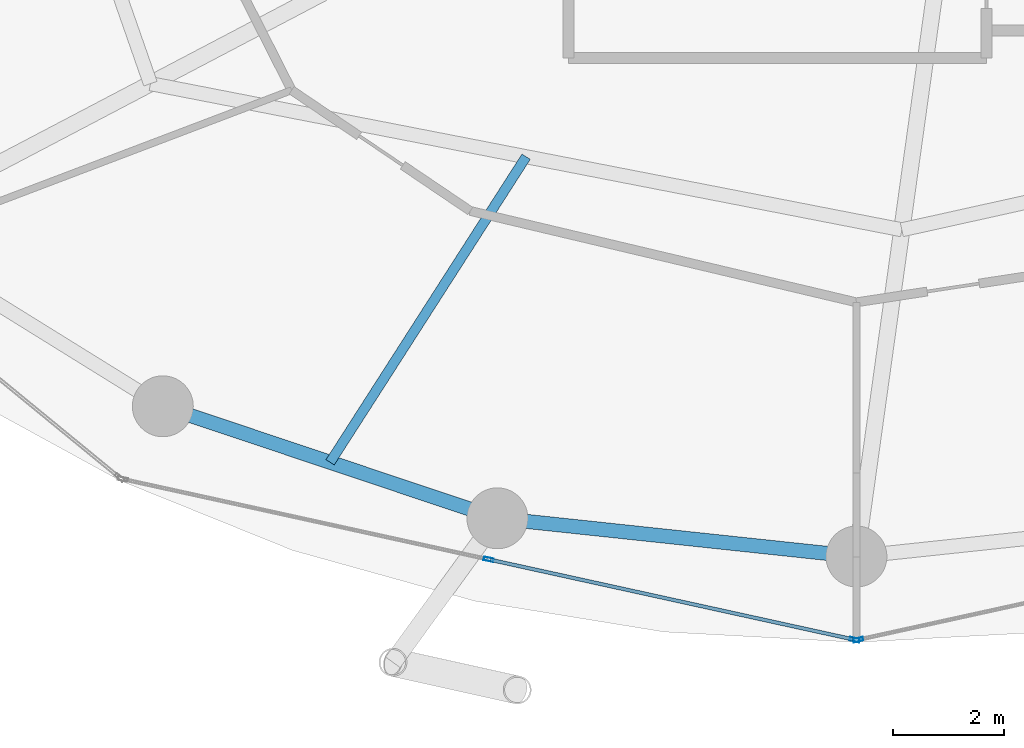
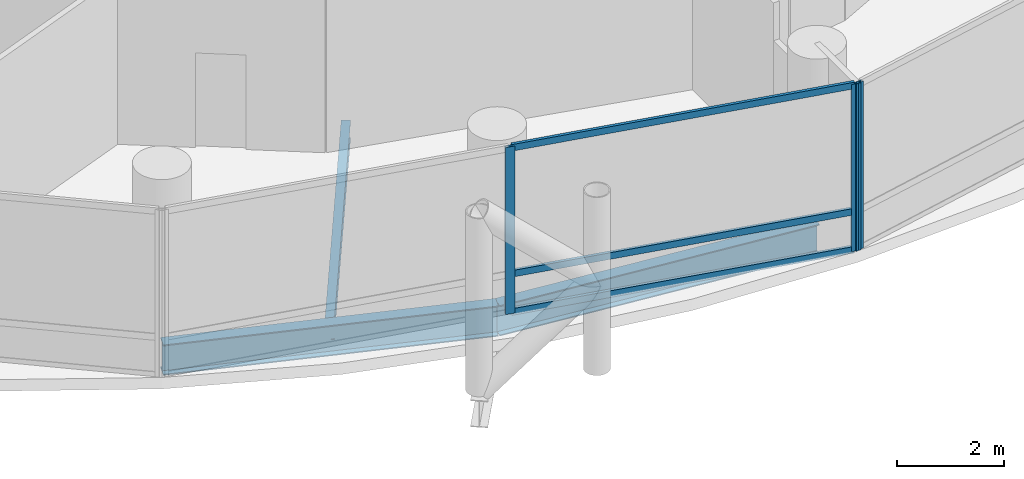
# One storey, part 4 of 26: 6 members, 3 beams, 2 elements without a shape of their own.
"""IFC4 building model written with IfcOpenShell, lengths in metres."""

from ifc_helpers import new_model, si_unit, direction, frame, origin, origin_2d, place, context, subcontext, project, spatial, hollow_rectangle, i_section, extrude, material, layer, layer_set, material_profile, profile_set, type_object, element, aggregate, save


model = new_model("IFC4")

# Units and contexts
model_context = context("Model", 3, precision=1e-05, world=origin(), true_north=direction((0.0, 1.0)))
body_context = subcontext(model_context, "Body", "Model", "MODEL_VIEW")
ifc_project = project(units=[si_unit("LENGTHUNIT", "METRE"), si_unit("AREAUNIT", "SQUARE_METRE"), si_unit("VOLUMEUNIT", "CUBIC_METRE"), si_unit("PLANEANGLEUNIT", "RADIAN"), si_unit("MASSUNIT", "GRAM", prefix="KILO")], contexts=[model_context])

# Site, building, storey
site_placement = place(None, origin())
site = spatial("IfcSite", under=ifc_project, at=site_placement, CompositionType="ELEMENT")
building_placement = place(site_placement, origin())
building = spatial("IfcBuilding", under=site, at=building_placement, Name="Nuhasar Tower", CompositionType="ELEMENT")
storey_placement = place(building_placement, frame((0.0, 0.0, 53.39990234375)))
storey = spatial("IfcBuildingStorey", under=building, at=storey_placement, Name="L12", CompositionType="ELEMENT", Elevation=53.39990234375)

# Beams
ifc_material_1 = material(Name="Steel S355", Category="steel")
ifc_material_profile_1 = material_profile(ifc_material_1, i_section(OverallWidth=0.177978515625, OverallDepth=0.406005859375, WebThickness=0.0078125, FlangeThickness=0.0126953125, at=origin_2d()), Name="W16X40")
ifc_profile_set_1 = profile_set([ifc_material_profile_1], Name="Steel S355")
beam_type_1 = type_object("IfcBeamType", Name="BM-JST-W16X40", PredefinedType="JOIST", material=ifc_profile_set_1)
beam_1_placement = place(storey_placement, frame((33.035888671875, 13.77001953125, -0.462890625), z_axis=(-0.539944240715, -0.841700788237, 0.0), x_axis=(0.841700788237, -0.539944240715, 0.0)))
element("IfcBeam", 1, at=beam_1_placement, inside=storey, type_object=beam_type_1, Name="L12 Secondary Floor Joist 01", PredefinedType="JOIST", context=body_context, shape_type="SweptSolid", body=[
    extrude(i_section(OverallWidth=0.177978515625, OverallDepth=0.406005859375, WebThickness=0.0078125, FlangeThickness=0.0126953125, at=origin_2d()), origin(), (0.0, 0.0, 1.0), 6.555908203125),
])
ifc_material_profile_2 = material_profile(ifc_material_1, i_section(OverallWidth=0.256103515625, OverallDepth=0.693115234375, WebThickness=0.014404296875, FlangeThickness=0.023681640625, at=origin_2d()), Name="W27X114")
ifc_profile_set_2 = profile_set([ifc_material_profile_2], Name="Steel S355")
beam_type_2 = type_object("IfcBeamType", Name="BM-RING-W27X114", PredefinedType="SPANDREL", material=ifc_profile_set_2)
beam_2_placement = place(storey_placement, frame((26.47509765625, 9.262939453125, -0.60595703125), z_axis=(0.94826097201, -0.317491935271, 0.0), x_axis=(0.317491935271, 0.94826097201, 0.0)))
element("IfcBeam", 2, at=beam_2_placement, inside=storey, type_object=beam_type_2, Name="L12 Perimeter Ring Spandrel 17", PredefinedType="SPANDREL", context=body_context, shape_type="SweptSolid", body=[
    extrude(i_section(OverallWidth=0.256103515625, OverallDepth=0.693115234375, WebThickness=0.014404296875, FlangeThickness=0.023681640625, at=origin_2d()), origin(), (0.0, 0.0, 1.0), 6.37158203125),
])
beam_3_placement = place(storey_placement, frame((32.51708984375, 7.239990234375, -0.60595703125), z_axis=(0.994384554061, -0.105827022286, 0.0), x_axis=(0.105827022286, 0.994384554061, 0.0)))
element("IfcBeam", 3, at=beam_3_placement, inside=storey, type_object=beam_type_2, Name="L12 Perimeter Ring Spandrel 18", PredefinedType="SPANDREL", context=body_context, shape_type="SweptSolid", body=[
    extrude(i_section(OverallWidth=0.256103515625, OverallDepth=0.693115234375, WebThickness=0.014404296875, FlangeThickness=0.023681640625, at=origin_2d()), origin(), (0.0, 0.0, 1.0), 6.51953125),
])

# Curtain wall, members
ifc_material_2 = material(Name="Aluminium 6063-T6", Category="aluminium")
ifc_layer = layer(ifc_material_2, 0.199951171875)
ifc_layer_set = layer_set([ifc_layer], Name="Aluminium 6063-T6")
curtain_wall_type = type_object("IfcCurtainWallType", Name="CW-Z1-OFF", PredefinedType="NOTDEFINED", material=ifc_layer_set)
curtain_wall_1_placement = place(storey_placement, origin())
curtain_wall_1 = element("IfcCurtainWall", 4, at=curtain_wall_1_placement, inside=storey, type_object=curtain_wall_type, Name="L12 Unitised Curtain Wall 09", PredefinedType="NOTDEFINED")
ifc_material_profile_3 = material_profile(ifc_material_2, hollow_rectangle(XDim=0.06494140625, YDim=0.179931640625, WallThickness=0.0048828125, at=origin_2d()), Name="CWM-2")
ifc_profile_set_3 = profile_set([ifc_material_profile_3], Name="Aluminium 6063-T6")
member_type_1 = type_object("IfcMemberType", Name="CW-MUL-S2", PredefinedType="MULLION", material=ifc_profile_set_3)
member_1_placement = place(storey_placement, frame((32.360107421875, 6.49755859375, 0.0), z_axis=(0.0, 0.0, 1.0), x_axis=(0.214398737637, 0.976746221544, 0.0)))
member_1 = element("IfcMember", 5, at=member_1_placement, type_object=member_type_1, Name="CW-Z1 mullion 2", PredefinedType="MULLION", context=body_context, shape_type="SweptSolid", body=[
    extrude(hollow_rectangle(XDim=0.06494140625, YDim=0.179931640625, WallThickness=0.0048828125, at=origin_2d()), origin(), (0.0, 0.0, 1.0), 3.800048828125),
])
member_2_placement = place(storey_placement, frame((38.96826171875, 5.046875, 0.0), z_axis=(0.0, 0.0, 1.0), x_axis=(0.214398737637, 0.976746221544, 0.0)))
member_2 = element("IfcMember", 6, at=member_2_placement, type_object=member_type_1, Name="CW-Z1 mullion 3", PredefinedType="MULLION", context=body_context, shape_type="SweptSolid", body=[
    extrude(hollow_rectangle(XDim=0.06494140625, YDim=0.179931640625, WallThickness=0.0048828125, at=origin_2d()), origin(), (0.0, 0.0, 1.0), 3.800048828125),
])

# Curtain wall, member
curtain_wall_2_placement = place(storey_placement, origin())
curtain_wall_2 = element("IfcCurtainWall", 7, at=curtain_wall_2_placement, inside=storey, type_object=curtain_wall_type, Name="L12 Unitised Curtain Wall 10", PredefinedType="NOTDEFINED")
member_3_placement = place(storey_placement, frame((39.03173828125, 5.046875, 0.0), z_axis=(0.0, 0.0, 1.0), x_axis=(-0.214398737637, 0.976746221544, 0.0)))
member_3 = element("IfcMember", 8, at=member_3_placement, type_object=member_type_1, Name="CW-Z1 mullion 1", PredefinedType="MULLION", context=body_context, shape_type="SweptSolid", body=[
    extrude(hollow_rectangle(XDim=0.06494140625, YDim=0.179931640625, WallThickness=0.0048828125, at=origin_2d()), origin(), (0.0, 0.0, 1.0), 3.800048828125),
])
aggregate(curtain_wall_2, [member_3])

# Member
ifc_material_profile_4 = material_profile(ifc_material_2, hollow_rectangle(XDim=0.06494140625, YDim=0.14990234375, WallThickness=0.00439453125, at=origin_2d()), Name="CWT-2")
ifc_profile_set_4 = profile_set([ifc_material_profile_4], Name="Aluminium 6063-T6")
member_type_2 = type_object("IfcMemberType", Name="CW-TRN-S2", PredefinedType="USERDEFINED", material=ifc_profile_set_4)
member_4_placement = place(storey_placement, frame((32.391845703125, 6.490478515625, 0.03271484375), z_axis=(0.976747879138, -0.214391185916, 0.0), x_axis=(0.214391185916, 0.976747879138, 0.0)))
member_4 = element("IfcMember", 9, at=member_4_placement, type_object=member_type_2, Name="CW-Z1 transom 2.1", ObjectType="TRANSOM", PredefinedType="USERDEFINED", context=body_context, shape_type="SweptSolid", body=[
    extrude(hollow_rectangle(XDim=0.06494140625, YDim=0.14990234375, WallThickness=0.00439453125, at=origin_2d()), origin(), (0.0, 0.0, 1.0), 6.700439453125),
])

member_5_placement = place(storey_placement, frame((32.391845703125, 6.490478515625, 0.900146484375), z_axis=(0.976747879138, -0.214391185916, 0.0), x_axis=(0.214391185916, 0.976747879138, 0.0)))
member_5 = element("IfcMember", 10, at=member_5_placement, type_object=member_type_2, Name="CW-Z1 transom 2.2", ObjectType="TRANSOM", PredefinedType="USERDEFINED", context=body_context, shape_type="SweptSolid", body=[
    extrude(hollow_rectangle(XDim=0.06494140625, YDim=0.14990234375, WallThickness=0.00439453125, at=origin_2d()), origin(), (0.0, 0.0, 1.0), 6.700439453125),
])

member_6_placement = place(storey_placement, frame((32.391845703125, 6.490478515625, 3.767578125), z_axis=(0.976747879138, -0.214391185916, 0.0), x_axis=(0.214391185916, 0.976747879138, 0.0)))
member_6 = element("IfcMember", 11, at=member_6_placement, type_object=member_type_2, Name="CW-Z1 transom 2.3", ObjectType="TRANSOM", PredefinedType="USERDEFINED", context=body_context, shape_type="SweptSolid", body=[
    extrude(hollow_rectangle(XDim=0.06494140625, YDim=0.14990234375, WallThickness=0.00439453125, at=origin_2d()), origin(), (0.0, 0.0, 1.0), 6.700439453125),
])

aggregate(curtain_wall_1, [member_1, member_2, member_4, member_5, member_6])

save(model, "model.ifc")
